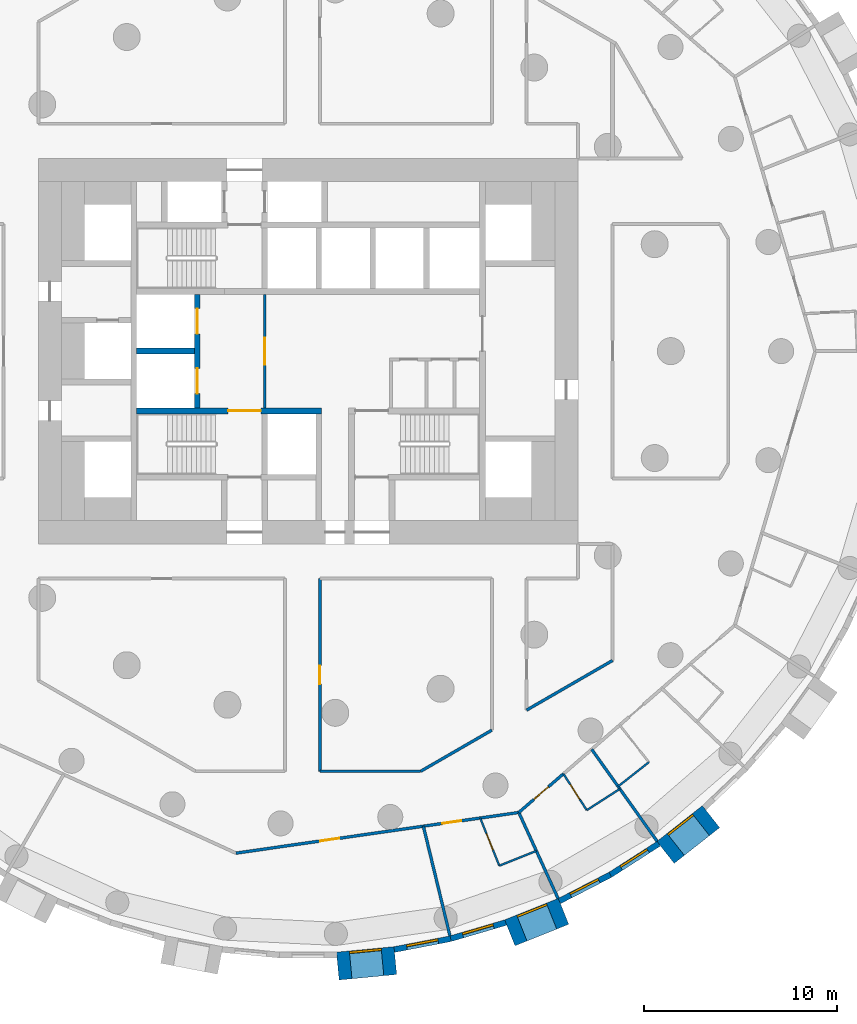
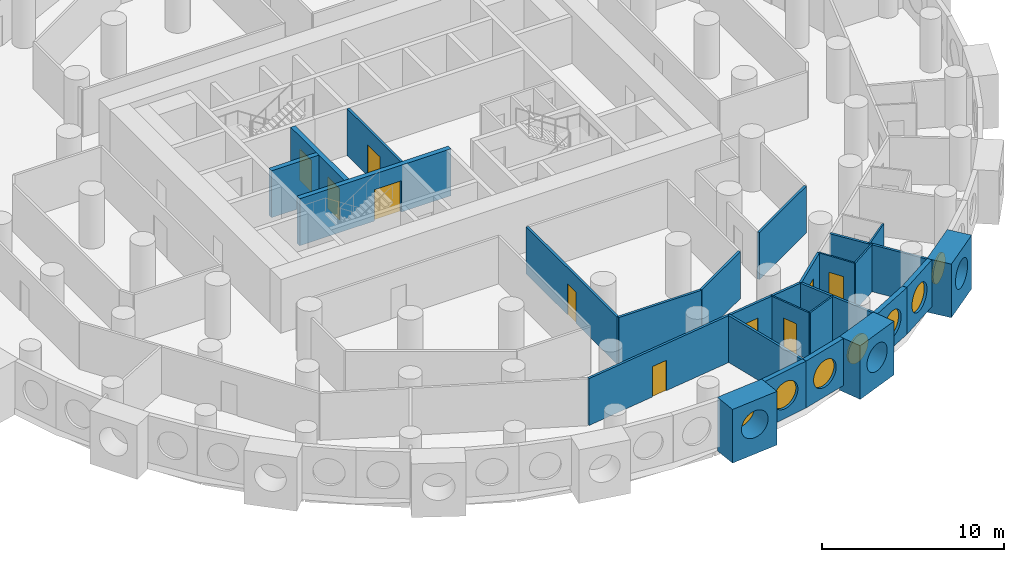
# One storey, part 4 of 12: 25 walls, 10 doors, 7 windows, 17 openings.
"""IFC4 building model written with IfcOpenShell, lengths in metres."""

import ifcopenshell
import ifcopenshell.guid

model = None  # the IFC model being written
_history = None  # IfcOwnerHistory: only IFC2X3 demands one
_inside = {}  # id of a spatial element -> (the spatial element, [elements in it])
_under = {}  # id of a project, library or spatial element -> (it, [spatial elements below it])
_declared = {}  # id of a project -> (the project, [libraries it declares])
_typed = {}  # id of a type object -> (the type object, [elements of that type])
_made_of = {}  # id of a material, layer set ... -> (it, [elements and type objects made of it])


def new_model(schema):
    """Start an empty IFC model of exactly this schema.

    Asked for "IFC4X3", IfcOpenShell would pick the latest addendum, in which some entities
    have other attributes; the version numbers below select the first issue.
    IFC2X3 requires an IfcOwnerHistory on every rooted entity: one is made here for all.
    """
    global model, _history
    if schema == "IFC4X3":
        model = ifcopenshell.file(schema_version=(4, 3, 0, 0))
    else:
        model = ifcopenshell.file(schema=schema)
    _inside.clear()
    _under.clear()
    _declared.clear()
    _typed.clear()
    _made_of.clear()
    _history = None
    if model.schema == "IFC2X3":
        org = make("IfcOrganization", Name="unknown")
        user = make(
            "IfcPersonAndOrganization",
            ThePerson=make("IfcPerson", FamilyName="unknown"),
            TheOrganization=org,
        )
        app = make(
            "IfcApplication",
            ApplicationDeveloper=org,
            Version="unknown",
            ApplicationFullName="unknown",
            ApplicationIdentifier="unknown",
        )
        _history = make(
            "IfcOwnerHistory",
            OwningUser=user,
            OwningApplication=app,
            ChangeAction="ADDED",
            CreationDate=0,
        )
    return model


def make(cls, **values):
    """One entity of the class cls with the attributes given. An attribute that is None is left unset."""
    return model.create_entity(
        cls, **{name: value for name, value in values.items() if value is not None}
    )


def rooted(cls, **values):
    """An entity with a GlobalId (a new one), such as an element, a storey or a relation."""
    return make(cls, GlobalId=ifcopenshell.guid.new(), OwnerHistory=_history, **values)


def si_unit(unit_type, name, prefix=None):
    """IfcSIUnit, for example si_unit("LENGTHUNIT", "METRE", prefix="MILLI")."""
    return make("IfcSIUnit", UnitType=unit_type, Prefix=prefix, Name=name)


def assignment(units):
    """IfcUnitAssignment: the units of a project."""
    return None if units is None else make("IfcUnitAssignment", Units=units)


def point(xyz):
    """IfcCartesianPoint."""
    return None if xyz is None else make("IfcCartesianPoint", Coordinates=xyz)


def direction(xyz):
    """IfcDirection."""
    return None if xyz is None else make("IfcDirection", DirectionRatios=xyz)


def frame(location, z_axis=None, x_axis=None):
    """IfcAxis2Placement3D, a coordinate frame: its origin and axes. An axis left out is left unset."""
    return make(
        "IfcAxis2Placement3D",
        Location=point(location),
        Axis=direction(z_axis),
        RefDirection=direction(x_axis),
    )


def frame_2d(location, x_axis=None):
    """IfcAxis2Placement2D, a coordinate frame in the plane: its origin and x axis."""
    return make(
        "IfcAxis2Placement2D", Location=point(location), RefDirection=direction(x_axis)
    )


def origin():
    """The frame at (0, 0, 0) with its axes left unset."""
    return frame((0.0, 0.0, 0.0))


def origin_2d():
    """The frame at (0, 0) in the plane with its x axis left unset."""
    return frame_2d((0.0, 0.0))


def place(relative_to, where):
    """IfcLocalPlacement: puts the frame where relative to a parent placement (None: the world)."""
    return make(
        "IfcLocalPlacement", PlacementRelTo=relative_to, RelativePlacement=where
    )


def context(
    kind, dimensions, precision=None, world=None, true_north=None, identifier=None
):
    """IfcGeometricRepresentationContext, for example the 3D "Model" context."""
    return make(
        "IfcGeometricRepresentationContext",
        ContextIdentifier=identifier,
        ContextType=kind,
        CoordinateSpaceDimension=dimensions,
        Precision=precision,
        WorldCoordinateSystem=world,
        TrueNorth=true_north,
    )


def subcontext(parent, identifier, kind, view, scale=None):
    """IfcGeometricRepresentationSubContext, for example "Body" below "Model"."""
    return make(
        "IfcGeometricRepresentationSubContext",
        ContextIdentifier=identifier,
        ContextType=kind,
        ParentContext=parent,
        TargetScale=scale,
        TargetView=view,
    )


def project(units=None, contexts=None):
    """IfcProject with its units and contexts."""
    return rooted(
        "IfcProject",
        Name="project",
        RepresentationContexts=contexts,
        UnitsInContext=assignment(units),
    )


def spatial(cls, under=None, at=None, **own):
    """A site, building, storey or space (cls), placed at a placement, below another one or the project."""
    s = rooted(cls, ObjectPlacement=at, **own)
    if under is not None:
        _under.setdefault(under.id(), (under, []))[1].append(s)
    return s


def profile(cls, at=None, kind="AREA", **sizes):
    """A parametric profile (cls). Its sizes go by their IFC names, for example OverallWidth=200.0."""
    return make(cls, ProfileType=kind, Position=at, **sizes)


def rectangle(**sizes):
    """IfcRectangleProfileDef."""
    return profile("IfcRectangleProfileDef", **sizes)


def circle(**sizes):
    """IfcCircleProfileDef."""
    return profile("IfcCircleProfileDef", **sizes)


def extrude(swept, where, along, depth):
    """IfcExtrudedAreaSolid: the profile swept, set in the frame where, extruded along a direction by depth."""
    return make(
        "IfcExtrudedAreaSolid",
        SweptArea=swept,
        Position=where,
        ExtrudedDirection=direction(along),
        Depth=depth,
    )


def shape(context_of_items, identifier, shape_type, items):
    """IfcShapeRepresentation: the items that make up one representation, for example the "Body"."""
    return make(
        "IfcShapeRepresentation",
        ContextOfItems=context_of_items,
        RepresentationIdentifier=identifier,
        RepresentationType=shape_type,
        Items=items,
    )


def material(Name=None, Category=None):
    """IfcMaterial."""
    return make("IfcMaterial", Name=Name, Category=Category)


def layer(
    of_material, thickness, ventilated=None, Name=None, Category=None, Priority=None
):
    """IfcMaterialLayer: one layer of a wall or slab, of a material (None: an air gap)."""
    return make(
        "IfcMaterialLayer",
        Material=of_material,
        LayerThickness=thickness,
        IsVentilated=ventilated,
        Name=Name,
        Category=Category,
        Priority=Priority,
    )


def layer_set(layers, Name=None):
    """IfcMaterialLayerSet."""
    return make("IfcMaterialLayerSet", MaterialLayers=layers, LayerSetName=Name)


def made_of(thing, what):
    """Note that an element or type object is made of a material, layer set ...; save() writes the relation."""
    if what is not None:
        _made_of.setdefault(what.id(), (what, []))[1].append(thing)
    return thing


def type_object(cls, material=None, **own):
    """A type object (cls), such as IfcWallType, which elements share."""
    return made_of(rooted(cls, **own), material)


def element(
    cls,
    number,
    at=None,
    inside=None,
    cuts=None,
    type_object=None,
    material=None,
    context=None,
    identifier="Body",
    shape_type=None,
    held_by="IfcProductDefinitionShape",
    body=None,
    shapes=None,
    **own,
):
    """One element of the class cls, such as IfcWall. Its Tag is "e" and its number.

    at: its placement. inside: the storey or other place that contains it. cuts: it is an
    opening in that element (IfcRelVoidsElement). A single representation is given by context,
    identifier, shape_type and body (its items); several are given by shapes. held_by: the class
    of the entity that holds the representations. save() writes the other relations.
    """
    e = rooted(cls, Tag="e%d" % number, ObjectPlacement=at, **own)
    if body is not None:
        shapes = [shape(context, identifier, shape_type, body)]
    if shapes is not None:
        e.Representation = make(held_by, Representations=shapes)
    if inside is not None:
        _inside.setdefault(inside.id(), (inside, []))[1].append(e)
    if cuts is not None:
        rooted(
            "IfcRelVoidsElement", RelatingBuildingElement=cuts, RelatedOpeningElement=e
        )
    if type_object is not None:
        _typed.setdefault(type_object.id(), (type_object, []))[1].append(e)
    return made_of(e, material)


def fill(opening, filler):
    """IfcRelFillsElement: the door or window that sits in an opening."""
    return rooted(
        "IfcRelFillsElement",
        RelatingOpeningElement=opening,
        RelatedBuildingElement=filler,
    )


def aggregate(whole, parts):
    """IfcRelAggregates: a whole, such as a stair, and the parts it consists of."""
    return rooted("IfcRelAggregates", RelatingObject=whole, RelatedObjects=parts)


def save(model, path):
    """Write the relations noted so far, then the file.

    IfcRelAggregates (storeys below a building ...), IfcRelContainedInSpatialStructure (elements
    in a storey), IfcRelDefinesByType, IfcRelAssociatesMaterial and IfcRelDeclares: one each for
    every whole, place, type object, material and project.
    """
    for whole, parts in _under.values():
        aggregate(whole, parts)
    for where, things in _inside.values():
        rooted(
            "IfcRelContainedInSpatialStructure",
            RelatedElements=things,
            RelatingStructure=where,
        )
    for kind, things in _typed.values():
        rooted("IfcRelDefinesByType", RelatedObjects=things, RelatingType=kind)
    for what, things in _made_of.values():
        rooted("IfcRelAssociatesMaterial", RelatedObjects=things, RelatingMaterial=what)
    for by, libraries in _declared.values():
        rooted("IfcRelDeclares", RelatingContext=by, RelatedDefinitions=libraries)
    model.write(path)


model = new_model("IFC4")

# Units and contexts
model_context = context("Model", 3, precision=1e-05, world=origin(), true_north=direction((0.0, 1.0)))
body_context = subcontext(model_context, "Body", "Model", "MODEL_VIEW")
ifc_project = project(units=[si_unit("LENGTHUNIT", "METRE"), si_unit("AREAUNIT", "SQUARE_METRE"), si_unit("VOLUMEUNIT", "CUBIC_METRE"), si_unit("PLANEANGLEUNIT", "RADIAN"), si_unit("MASSUNIT", "GRAM", prefix="KILO")], contexts=[model_context])

# Site, building, storey
site_placement = place(None, origin())
site = spatial("IfcSite", under=ifc_project, at=site_placement, CompositionType="ELEMENT")
building_placement = place(site_placement, origin())
building = spatial("IfcBuilding", under=site, at=building_placement, Name="Tracery Tower", CompositionType="ELEMENT")
storey_placement = place(building_placement, frame((0.0, 0.0, 71.39990234375)))
storey = spatial("IfcBuildingStorey", under=building, at=storey_placement, Name="L17", CompositionType="ELEMENT", Elevation=71.39990234375)

# Wall, opening, door
ifc_material_1 = material(Name="Plasterboard on steel studs", Category="steel")
ifc_layer_1 = layer(ifc_material_1, 0.14990234375)
ifc_layer_set_1 = layer_set([ifc_layer_1], Name="Core lobby partition 150")
wall_type_1 = type_object("IfcWallType", Name="Core lobby partition 150", PredefinedType="SOLIDWALL", material=ifc_layer_set_1)
wall_1_placement = place(storey_placement, frame((-2.25, -2.949951171875, 0.0), z_axis=(0.0, 0.0, 1.0), x_axis=(0.0, 1.0, 0.0)))
wall_1 = element("IfcWall", 1, at=wall_1_placement, inside=storey, type_object=wall_type_1, Name="L17 FF lobby E", PredefinedType="SOLIDWALL", context=body_context, shape_type="SweptSolid", body=[
    extrude(rectangle(XDim=5.89990234375, YDim=0.14990234375, at=frame_2d((2.949951171875, 0.0))), origin(), (0.0, 0.0, 1.0), 3.150146484375),
])
opening_1_placement = place(wall_1_placement, frame((2.25, 0.0, 0.0)))
opening_1 = element("IfcOpeningElement", 2, at=opening_1_placement, cuts=wall_1, Name="Opening KD8", PredefinedType="OPENING", context=body_context, shape_type="SweptSolid", body=[
    extrude(rectangle(XDim=1.39990234375, YDim=2.10009765625, at=frame_2d((0.699951171875, 1.050048828125))), frame((0.0, 0.074951171875, 0.0), z_axis=(0.0, -1.0, 0.0), x_axis=(1.0, 0.0, 0.0)), (0.0, 0.0, 1.0), 0.14990234375),
])
ifc_material_2 = material(Name="Steel fire door", Category="steel")
door_type_1 = type_object("IfcDoorType", Name="Core lobby door 1400 double", OperationType="NOTDEFINED", PredefinedType="DOOR", material=ifc_material_2)
door_1_placement = place(opening_1_placement, origin())
door_1 = element("IfcDoor", 3, at=door_1_placement, inside=storey, type_object=door_type_1, Name="Fire-fighting lobby door", OperationType="DOUBLE_DOOR_SINGLE_SWING", OverallHeight=2.10009765625, OverallWidth=1.39990234375, PredefinedType="DOOR", context=body_context, shape_type="SweptSolid", body=[
    extrude(rectangle(XDim=1.39990234375, YDim=2.10009765625, at=frame_2d((0.699951171875, 1.050048828125))), frame((0.0, 0.02490234375, 0.0), z_axis=(0.0, -1.0, 0.0), x_axis=(1.0, 0.0, 0.0)), (0.0, 0.0, 1.0), 0.050048828125),
])
fill(opening_1, door_1)

# Wall, opening, window
ifc_material_3 = material(Name="Precast concrete C50/60", Category="concrete")
ifc_layer_2 = layer(ifc_material_3, 1.449951171875)
ifc_layer_set_2 = layer_set([ifc_layer_2], Name="Deep-set bay unit 3000 x 3600, slab edge 450")
wall_type_2 = type_object("IfcWallType", Name="Deep-set bay unit 3000 x 3600, slab edge 450", PredefinedType="ELEMENTEDWALL", material=ifc_layer_set_2)
wall_2_placement = place(storey_placement, frame((1.540283203125, -31.911865234375, -0.449951171875), z_axis=(0.0, 0.0, 1.0), x_axis=(0.995472768558, 0.09504718333, 0.0)))
wall_2 = element("IfcWall", 4, at=wall_2_placement, inside=storey, type_object=wall_type_2, Name="Deep-set bay unit 51 at L17", PredefinedType="ELEMENTEDWALL", context=body_context, shape_type="SweptSolid", body=[
    extrude(rectangle(XDim=3.000244140625, YDim=1.449951171875, at=frame_2d((1.5, 0.0))), origin(), (0.0, 0.0, 1.0), 3.60009765625),
])
opening_2_placement = place(wall_2_placement, frame((1.5, 0.0, 2.0)))
opening_2 = element("IfcOpeningElement", 5, at=opening_2_placement, cuts=wall_2, Name="Opening WN1", PredefinedType="OPENING", context=body_context, shape_type="SweptSolid", body=[
    extrude(circle(Radius=0.9000244140625, at=origin_2d()), frame((0.0, 0.73486328125, 0.0), z_axis=(0.0, -1.0, 0.0), x_axis=(1.0, 0.0, 0.0)), (0.0, 0.0, 1.0), 1.469970703125),
])
ifc_material_4 = material(Name="Aluminium frame with tinted double glazing", Category="aluminium")
window_type = type_object("IfcWindowType", Name="Round window 1800", PartitioningType="SINGLE_PANEL", PredefinedType="WINDOW", material=ifc_material_4)
window_1_placement = place(opening_2_placement, origin())
window_1 = element("IfcWindow", 6, at=window_1_placement, inside=storey, type_object=window_type, Name="Round window 51 at L17", OverallHeight=1.800048828125, OverallWidth=1.800048828125, PartitioningType="SINGLE_PANEL", PredefinedType="WINDOW", context=body_context, shape_type="SweptSolid", body=[
    extrude(circle(Radius=0.9000244140625, at=origin_2d()), frame((0.0, 0.69482421875, 0.0), z_axis=(0.0, -1.0, 0.0), x_axis=(1.0, 0.0, 0.0)), (0.0, 0.0, 1.0), 0.10009765625),
])
fill(opening_2, window_1)

wall_3_placement = place(storey_placement, frame((10.46875, -30.185302734375, -0.449951171875), z_axis=(0.0, 0.0, 1.0), x_axis=(0.928358776184, 0.371685327504, 0.0)))
wall_3 = element("IfcWall", 7, at=wall_3_placement, inside=storey, type_object=wall_type_2, Name="Deep-set bay unit 54 at L17", PredefinedType="ELEMENTEDWALL", context=body_context, shape_type="SweptSolid", body=[
    extrude(rectangle(XDim=2.999755859375, YDim=1.449951171875, at=frame_2d((1.5, 0.0))), origin(), (0.0, 0.0, 1.0), 3.60009765625),
])
opening_3_placement = place(wall_3_placement, frame((1.5, 0.0, 2.0)))
opening_3 = element("IfcOpeningElement", 8, at=opening_3_placement, cuts=wall_3, Name="Opening WN1", PredefinedType="OPENING", context=body_context, shape_type="SweptSolid", body=[
    extrude(circle(Radius=0.9000244140625, at=origin_2d()), frame((0.0, 0.73486328125, 0.0), z_axis=(0.0, -1.0, 0.0), x_axis=(1.0, 0.0, 0.0)), (0.0, 0.0, 1.0), 1.469970703125),
])
window_2_placement = place(opening_3_placement, origin())
window_2 = element("IfcWindow", 9, at=window_2_placement, inside=storey, type_object=window_type, Name="Round window 54 at L17", OverallHeight=1.800048828125, OverallWidth=1.800048828125, PartitioningType="SINGLE_PANEL", PredefinedType="WINDOW", context=body_context, shape_type="SweptSolid", body=[
    extrude(circle(Radius=0.9000244140625, at=origin_2d()), frame((0.0, 0.69482421875, 0.0), z_axis=(0.0, -1.0, 0.0), x_axis=(1.0, 0.0, 0.0)), (0.0, 0.0, 1.0), 0.10009765625),
])
fill(opening_3, window_2)

wall_4_placement = place(storey_placement, frame((18.548828125, -26.01318359375, -0.449951171875), z_axis=(0.0, 0.0, 1.0), x_axis=(0.786049992888, 0.618162930529, 0.0)))
wall_4 = element("IfcWall", 10, at=wall_4_placement, inside=storey, type_object=wall_type_2, Name="Deep-set bay unit 57 at L17", PredefinedType="ELEMENTEDWALL", context=body_context, shape_type="SweptSolid", body=[
    extrude(rectangle(XDim=3.0, YDim=1.449951171875, at=frame_2d((1.5, 0.0))), origin(), (0.0, 0.0, 1.0), 3.60009765625),
])
opening_4_placement = place(wall_4_placement, frame((1.5, 0.0, 2.0)))
opening_4 = element("IfcOpeningElement", 11, at=opening_4_placement, cuts=wall_4, Name="Opening WN1", PredefinedType="OPENING", context=body_context, shape_type="SweptSolid", body=[
    extrude(circle(Radius=0.9000244140625, at=origin_2d()), frame((0.0, 0.73486328125, 0.0), z_axis=(0.0, -1.0, 0.0), x_axis=(1.0, 0.0, 0.0)), (0.0, 0.0, 1.0), 1.469970703125),
])
window_3_placement = place(opening_4_placement, origin())
window_3 = element("IfcWindow", 12, at=window_3_placement, inside=storey, type_object=window_type, Name="Round window 57 at L17", OverallHeight=1.800048828125, OverallWidth=1.800048828125, PartitioningType="SINGLE_PANEL", PredefinedType="WINDOW", context=body_context, shape_type="SweptSolid", body=[
    extrude(circle(Radius=0.9000244140625, at=origin_2d()), frame((0.0, 0.69482421875, 0.0), z_axis=(0.0, -1.0, 0.0), x_axis=(1.0, 0.0, 0.0)), (0.0, 0.0, 1.0), 0.10009765625),
])
fill(opening_4, window_3)

ifc_material_5 = material(Name="Precast concrete C50/60", Category="concrete")
ifc_layer_3 = layer(ifc_material_5, 0.300048828125)
ifc_layer_set_3 = layer_set([ifc_layer_3], Name="Facade panel 3000 x 3150")
wall_type_3 = type_object("IfcWallType", Name="Facade panel 3000 x 3150", PredefinedType="SOLIDWALL", material=ifc_layer_set_3)
wall_5_placement = place(storey_placement, frame((4.470947265625, -31.053955078125, 0.0), z_axis=(0.0, 0.0, 1.0), x_axis=(0.981924535406, 0.189272836848, 0.0)))
wall_5 = element("IfcWall", 13, at=wall_5_placement, inside=storey, type_object=wall_type_3, Name="Facade panel 52 at L17", PredefinedType="SOLIDWALL", context=body_context, shape_type="SweptSolid", body=[
    extrude(rectangle(XDim=2.979736328125, YDim=0.300048828125, at=frame_2d((1.48974609375, 0.0))), origin(), (0.0, 0.0, 1.0), 3.150146484375),
])
opening_5_placement = place(wall_5_placement, frame((1.48974609375, 0.0, 1.5498046875)))
opening_5 = element("IfcOpeningElement", 14, at=opening_5_placement, cuts=wall_5, Name="Opening WN1", PredefinedType="OPENING", context=body_context, shape_type="SweptSolid", body=[
    extrude(circle(Radius=0.9000244140625, at=origin_2d()), frame((0.0, 0.159912109375, 0.0), z_axis=(0.0, -1.0, 0.0), x_axis=(1.0, 0.0, 0.0)), (0.0, 0.0, 1.0), 0.320068359375),
])
window_4_placement = place(opening_5_placement, origin())
window_4 = element("IfcWindow", 15, at=window_4_placement, inside=storey, type_object=window_type, Name="Round window 52 at L17", OverallHeight=1.800048828125, OverallWidth=1.800048828125, PartitioningType="SINGLE_PANEL", PredefinedType="WINDOW", context=body_context, shape_type="SweptSolid", body=[
    extrude(circle(Radius=0.9000244140625, at=origin_2d()), frame((0.0, 0.1201171875, 0.0), z_axis=(0.0, -1.0, 0.0), x_axis=(1.0, 0.0, 0.0)), (0.0, 0.0, 1.0), 0.10009765625),
])
fill(opening_5, window_4)

wall_6_placement = place(storey_placement, frame((7.396728515625, -30.489990234375, 0.0), z_axis=(0.0, 0.0, 1.0), x_axis=(0.959507586834, 0.28168278401, 0.0)))
wall_6 = element("IfcWall", 16, at=wall_6_placement, inside=storey, type_object=wall_type_3, Name="Facade panel 53 at L17", PredefinedType="SOLIDWALL", context=body_context, shape_type="SweptSolid", body=[
    extrude(rectangle(XDim=2.979736328125, YDim=0.300048828125, at=frame_2d((1.48974609375, 0.0))), origin(), (0.0, 0.0, 1.0), 3.150146484375),
])
opening_6_placement = place(wall_6_placement, frame((1.48974609375, 0.0, 1.5498046875)))
opening_6 = element("IfcOpeningElement", 17, at=opening_6_placement, cuts=wall_6, Name="Opening WN1", PredefinedType="OPENING", context=body_context, shape_type="SweptSolid", body=[
    extrude(circle(Radius=0.9000244140625, at=origin_2d()), frame((0.0, 0.159912109375, 0.0), z_axis=(0.0, -1.0, 0.0), x_axis=(1.0, 0.0, 0.0)), (0.0, 0.0, 1.0), 0.320068359375),
])
window_5_placement = place(opening_6_placement, origin())
window_5 = element("IfcWindow", 18, at=window_5_placement, inside=storey, type_object=window_type, Name="Round window 53 at L17", OverallHeight=1.800048828125, OverallWidth=1.800048828125, PartitioningType="SINGLE_PANEL", PredefinedType="WINDOW", context=body_context, shape_type="SweptSolid", body=[
    extrude(circle(Radius=0.9000244140625, at=origin_2d()), frame((0.0, 0.1201171875, 0.0), z_axis=(0.0, -1.0, 0.0), x_axis=(1.0, 0.0, 0.0)), (0.0, 0.0, 1.0), 0.10009765625),
])
fill(opening_6, window_5)

wall_7_placement = place(storey_placement, frame((13.038818359375, -28.536376953125, 0.0), z_axis=(0.0, 0.0, 1.0), x_axis=(0.888853225096, 0.4581920386, 0.0)))
wall_7 = element("IfcWall", 19, at=wall_7_placement, inside=storey, type_object=wall_type_3, Name="Facade panel 55 at L17", PredefinedType="SOLIDWALL", context=body_context, shape_type="SweptSolid", body=[
    extrude(rectangle(XDim=2.9794921875, YDim=0.300048828125, at=frame_2d((1.48974609375, 0.0))), origin(), (0.0, 0.0, 1.0), 3.150146484375),
])
opening_7_placement = place(wall_7_placement, frame((1.48974609375, 0.0, 1.5498046875)))
opening_7 = element("IfcOpeningElement", 20, at=opening_7_placement, cuts=wall_7, Name="Opening WN1", PredefinedType="OPENING", context=body_context, shape_type="SweptSolid", body=[
    extrude(circle(Radius=0.9000244140625, at=origin_2d()), frame((0.0, 0.159912109375, 0.0), z_axis=(0.0, -1.0, 0.0), x_axis=(1.0, 0.0, 0.0)), (0.0, 0.0, 1.0), 0.320068359375),
])
window_6_placement = place(opening_7_placement, origin())
window_6 = element("IfcWindow", 21, at=window_6_placement, inside=storey, type_object=window_type, Name="Round window 55 at L17", OverallHeight=1.800048828125, OverallWidth=1.800048828125, PartitioningType="SINGLE_PANEL", PredefinedType="WINDOW", context=body_context, shape_type="SweptSolid", body=[
    extrude(circle(Radius=0.9000244140625, at=origin_2d()), frame((0.0, 0.1201171875, 0.0), z_axis=(0.0, -1.0, 0.0), x_axis=(1.0, 0.0, 0.0)), (0.0, 0.0, 1.0), 0.10009765625),
])
fill(opening_7, window_6)

wall_8_placement = place(storey_placement, frame((15.687255859375, -27.171142578125, 0.0), z_axis=(0.0, 0.0, 1.0), x_axis=(0.84122372879, 0.540687190639, 0.0)))
wall_8 = element("IfcWall", 22, at=wall_8_placement, inside=storey, type_object=wall_type_3, Name="Facade panel 56 at L17", PredefinedType="SOLIDWALL", context=body_context, shape_type="SweptSolid", body=[
    extrude(rectangle(XDim=2.979736328125, YDim=0.300048828125, at=frame_2d((1.48974609375, 0.0))), origin(), (0.0, 0.0, 1.0), 3.150146484375),
])
opening_8_placement = place(wall_8_placement, frame((1.48974609375, 0.0, 1.5498046875)))
opening_8 = element("IfcOpeningElement", 23, at=opening_8_placement, cuts=wall_8, Name="Opening WN1", PredefinedType="OPENING", context=body_context, shape_type="SweptSolid", body=[
    extrude(circle(Radius=0.9000244140625, at=origin_2d()), frame((0.0, 0.159912109375, 0.0), z_axis=(0.0, -1.0, 0.0), x_axis=(1.0, 0.0, 0.0)), (0.0, 0.0, 1.0), 0.320068359375),
])
window_7_placement = place(opening_8_placement, origin())
window_7 = element("IfcWindow", 24, at=window_7_placement, inside=storey, type_object=window_type, Name="Round window 56 at L17", OverallHeight=1.800048828125, OverallWidth=1.800048828125, PartitioningType="SINGLE_PANEL", PredefinedType="WINDOW", context=body_context, shape_type="SweptSolid", body=[
    extrude(circle(Radius=0.9000244140625, at=origin_2d()), frame((0.0, 0.1201171875, 0.0), z_axis=(0.0, -1.0, 0.0), x_axis=(1.0, 0.0, 0.0)), (0.0, 0.0, 1.0), 0.10009765625),
])
fill(opening_8, window_7)

# Wall, opening, door
ifc_material_6 = material(Name="Plasterboard on steel studs", Category="steel")
ifc_layer_4 = layer(ifc_material_6, 0.10009765625)
ifc_layer_set_4 = layer_set([ifc_layer_4], Name="Partition 100 wet wall")
wall_type_4 = type_object("IfcWallType", Name="Partition 100 wet wall", PredefinedType="PARTITIONING", material=ifc_layer_set_4)
wall_9_placement = place(storey_placement, frame((8.929931640625, -24.22802734375, 0.0), z_axis=(0.0, 0.0, 1.0), x_axis=(0.371564281805, -0.928407229876, 0.0)))
wall_9 = element("IfcWall", 25, at=wall_9_placement, inside=storey, type_object=wall_type_4, Name="Wet wall RA5-087", PredefinedType="PARTITIONING", context=body_context, shape_type="SweptSolid", body=[
    extrude(rectangle(XDim=2.6669921875, YDim=0.10009765625, at=frame_2d((1.33349609375, 0.0))), origin(), (0.0, 0.0, 1.0), 3.150146484375),
])
opening_9_placement = place(wall_9_placement, frame((0.883056640625, 0.0, 0.0)))
opening_9 = element("IfcOpeningElement", 26, at=opening_9_placement, cuts=wall_9, Name="Opening RA5-31", PredefinedType="OPENING", context=body_context, shape_type="SweptSolid", body=[
    extrude(rectangle(XDim=0.89990234375, YDim=2.0400390625, at=frame_2d((0.449951171875, 1.02001953125))), frame((0.0, 0.050048828125, 0.0), z_axis=(0.0, -1.0, 0.0), x_axis=(1.0, 0.0, 0.0)), (0.0, 0.0, 1.0), 0.10009765625),
])
ifc_material_7 = material(Name="Timber door leaf", Category="wood")
door_type_2 = type_object("IfcDoorType", Name="Door en-suite 900", OperationType="NOTDEFINED", PredefinedType="DOOR", material=ifc_material_7)
door_2_placement = place(opening_9_placement, origin())
door_2 = element("IfcDoor", 27, at=door_2_placement, inside=storey, type_object=door_type_2, Name="En-suite door RA5-31", OperationType="SINGLE_SWING_LEFT", OverallHeight=2.0400390625, OverallWidth=0.89990234375, PredefinedType="DOOR", context=body_context, shape_type="SweptSolid", body=[
    extrude(rectangle(XDim=0.89990234375, YDim=2.0400390625, at=frame_2d((0.449951171875, 1.02001953125))), frame((0.0, 0.02490234375, 0.0), z_axis=(0.0, -1.0, 0.0), x_axis=(1.0, 0.0, 0.0)), (0.0, 0.0, 1.0), 0.050048828125),
])
fill(opening_9, door_2)

# Wall
wall_10_placement = place(storey_placement, frame((9.9208984375, -26.7041015625, 0.0), z_axis=(0.0, 0.0, 1.0), x_axis=(0.928346586681, 0.37171577179, 0.0)))
element("IfcWall", 28, at=wall_10_placement, inside=storey, type_object=wall_type_4, Name="Wet wall RA5-088", PredefinedType="PARTITIONING", context=body_context, shape_type="SweptSolid", body=[
    extrude(rectangle(XDim=2.071533203125, YDim=0.10009765625, at=frame_2d((1.03564453125, 0.0))), origin(), (0.0, 0.0, 1.0), 3.150146484375),
])

# Wall, opening, door
wall_11_placement = place(storey_placement, frame((13.248046875, -21.93505859375, 0.0), z_axis=(0.0, 0.0, 1.0), x_axis=(0.540597960994, -0.841281073464, 0.0)))
wall_11 = element("IfcWall", 29, at=wall_11_placement, inside=storey, type_object=wall_type_4, Name="Wet wall RA5-090", PredefinedType="PARTITIONING", context=body_context, shape_type="SweptSolid", body=[
    extrude(rectangle(XDim=2.24169921875, YDim=0.10009765625, at=frame_2d((1.120849609375, 0.0))), origin(), (0.0, 0.0, 1.0), 3.150146484375),
])
opening_10_placement = place(wall_11_placement, frame((0.6708984375, 0.0, 0.0)))
opening_10 = element("IfcOpeningElement", 30, at=opening_10_placement, cuts=wall_11, Name="Opening RA5-33", PredefinedType="OPENING", context=body_context, shape_type="SweptSolid", body=[
    extrude(rectangle(XDim=0.89990234375, YDim=2.0400390625, at=frame_2d((0.449951171875, 1.02001953125))), frame((0.0, 0.050048828125, 0.0), z_axis=(0.0, -1.0, 0.0), x_axis=(1.0, 0.0, 0.0)), (0.0, 0.0, 1.0), 0.10009765625),
])
door_3_placement = place(opening_10_placement, origin())
door_3 = element("IfcDoor", 31, at=door_3_placement, inside=storey, type_object=door_type_2, Name="En-suite door RA5-33", OperationType="SINGLE_SWING_RIGHT", OverallHeight=2.0400390625, OverallWidth=0.89990234375, PredefinedType="DOOR", context=body_context, shape_type="SweptSolid", body=[
    extrude(rectangle(XDim=0.89990234375, YDim=2.0400390625, at=frame_2d((0.449951171875, 1.02001953125))), frame((0.0, 0.02490234375, 0.0), z_axis=(0.0, -1.0, 0.0), x_axis=(1.0, 0.0, 0.0)), (0.0, 0.0, 1.0), 0.050048828125),
])
fill(opening_10, door_3)

# Walls
wall_12_placement = place(storey_placement, frame((14.4599609375, -23.821044921875, 0.0), z_axis=(0.0, 0.0, 1.0), x_axis=(0.841135728185, 0.540824081168, 0.0)))
element("IfcWall", 32, at=wall_12_placement, inside=storey, type_object=wall_type_4, Name="Wet wall RA5-091", PredefinedType="PARTITIONING", context=body_context, shape_type="SweptSolid", body=[
    extrude(rectangle(XDim=2.041259765625, YDim=0.10009765625, at=frame_2d((1.0205078125, 0.0))), origin(), (0.0, 0.0, 1.0), 3.150146484375),
])
wall_13_placement = place(storey_placement, frame((16.0859375, -22.589111328125, 0.0), z_axis=(0.0, 0.0, 1.0), x_axis=(0.785984904201, 0.618245687707, 0.0)))
element("IfcWall", 33, at=wall_13_placement, inside=storey, type_object=wall_type_4, Name="Wet wall RA5-093", PredefinedType="PARTITIONING", context=body_context, shape_type="SweptSolid", body=[
    extrude(rectangle(XDim=2.033203125, YDim=0.10009765625, at=frame_2d((1.0166015625, 0.0))), origin(), (0.0, 0.0, 1.0), 3.150146484375),
])
ifc_material_8 = material(Name="Plasterboard on steel studs", Category="steel")
ifc_layer_5 = layer(ifc_material_8, 0.14990234375)
ifc_layer_set_5 = layer_set([ifc_layer_5], Name="Partition 150 acoustic unit wall")
wall_type_5 = type_object("IfcWallType", Name="Partition 150 acoustic unit wall", PredefinedType="PARTITIONING", material=ifc_layer_set_5)
wall_14_placement = place(storey_placement, frame((5.98095703125, -24.652099609375, 0.0), z_axis=(0.0, 0.0, 1.0), x_axis=(0.235644168604, -0.971839403298, 0.0)))
element("IfcWall", 34, at=wall_14_placement, inside=storey, type_object=wall_type_5, Name="Unit wall RA5-086", PredefinedType="PARTITIONING", context=body_context, shape_type="SweptSolid", body=[
    extrude(rectangle(XDim=5.85693359375, YDim=0.14990234375, at=frame_2d((2.928466796875, 0.0))), origin(), (0.0, 0.0, 1.0), 3.150146484375),
])
wall_15_placement = place(storey_placement, frame((10.93359375, -23.939697265625, 0.0), z_axis=(0.0, 0.0, 1.0), x_axis=(0.415245800153, -0.909709253254, 0.0)))
element("IfcWall", 35, at=wall_15_placement, inside=storey, type_object=wall_type_5, Name="Unit wall RA5-089", PredefinedType="PARTITIONING", context=body_context, shape_type="SweptSolid", body=[
    extrude(rectangle(XDim=4.906494140625, YDim=0.14990234375, at=frame_2d((2.453125, 0.0))), origin(), (0.0, 0.0, 1.0), 3.150146484375),
])
wall_16_placement = place(storey_placement, frame((14.71533203125, -20.663818359375, 0.0), z_axis=(0.0, 0.0, 1.0), x_axis=(0.57995989616, -0.814645026282, 0.0)))
element("IfcWall", 36, at=wall_16_placement, inside=storey, type_object=wall_type_5, Name="Unit wall RA5-092", PredefinedType="PARTITIONING", context=body_context, shape_type="SweptSolid", body=[
    extrude(rectangle(XDim=5.85693359375, YDim=0.14990234375, at=frame_2d((2.928466796875, 0.0))), origin(), (0.0, 0.0, 1.0), 3.150146484375),
])

# Wall, opening, door
ifc_material_9 = material(Name="Plasterboard on steel studs", Category="steel")
ifc_layer_6 = layer(ifc_material_9, 0.14990234375)
ifc_layer_set_6 = layer_set([ifc_layer_6], Name="Partition 150 corridor wall")
wall_type_6 = type_object("IfcWallType", Name="Partition 150 corridor wall", PredefinedType="PARTITIONING", material=ifc_layer_set_6)
wall_17_placement = place(storey_placement, frame((0.60791015625, -21.802001953125, 0.0), z_axis=(0.0, 0.0, 1.0), x_axis=(0.0, 1.0, 0.0)))
wall_17 = element("IfcWall", 37, at=wall_17_placement, inside=storey, type_object=wall_type_6, Name="Corridor wall RA5-048", PredefinedType="PARTITIONING", context=body_context, shape_type="SweptSolid", body=[
    extrude(rectangle(XDim=10.001953125, YDim=0.14990234375, at=frame_2d((5.0009765625, 0.0))), origin(), (0.0, 0.0, 1.0), 3.150146484375),
])
opening_11_placement = place(wall_17_placement, frame((4.52587890625, 0.0, 0.0)))
opening_11 = element("IfcOpeningElement", 38, at=opening_11_placement, cuts=wall_17, Name="Opening RA5-05", PredefinedType="OPENING", context=body_context, shape_type="SweptSolid", body=[
    extrude(rectangle(XDim=0.949951171875, YDim=2.10009765625, at=frame_2d((0.47509765625, 1.050048828125))), frame((0.0, 0.074951171875, 0.0), z_axis=(0.0, -1.0, 0.0), x_axis=(1.0, 0.0, 0.0)), (0.0, 0.0, 1.0), 0.14990234375),
])
ifc_material_10 = material(Name="Timber door leaf", Category="wood")
door_type_3 = type_object("IfcDoorType", Name="Door store 950", OperationType="NOTDEFINED", PredefinedType="DOOR", material=ifc_material_10)
door_4_placement = place(opening_11_placement, origin())
door_4 = element("IfcDoor", 39, at=door_4_placement, inside=storey, type_object=door_type_3, Name="Store door RA5-05", OperationType="SINGLE_SWING_RIGHT", OverallHeight=2.10009765625, OverallWidth=0.949951171875, PredefinedType="DOOR", context=body_context, shape_type="SweptSolid", body=[
    extrude(rectangle(XDim=0.949951171875, YDim=2.10009765625, at=frame_2d((0.47509765625, 1.050048828125))), frame((0.0, 0.02490234375, 0.0), z_axis=(0.0, -1.0, 0.0), x_axis=(1.0, 0.0, 0.0)), (0.0, 0.0, 1.0), 0.050048828125),
])
fill(opening_11, door_4)

# Walls
wall_18_placement = place(storey_placement, frame((0.60791015625, -21.802001953125, 0.0), z_axis=(0.0, 0.0, 1.0), x_axis=(1.0, 0.0, 0.0)))
element("IfcWall", 40, at=wall_18_placement, inside=storey, type_object=wall_type_6, Name="Corridor wall RA5-049", PredefinedType="PARTITIONING", context=body_context, shape_type="SweptSolid", body=[
    extrude(rectangle(XDim=5.234130859375, YDim=0.14990234375, at=frame_2d((2.6171875, 0.0))), origin(), (0.0, 0.0, 1.0), 3.150146484375),
])
wall_19_placement = place(storey_placement, frame((5.842041015625, -21.802001953125, 0.0), z_axis=(0.0, 0.0, 1.0), x_axis=(0.865983505205, 0.500072563448, 0.0)))
element("IfcWall", 41, at=wall_19_placement, inside=storey, type_object=wall_type_6, Name="Corridor wall RA5-050", PredefinedType="PARTITIONING", context=body_context, shape_type="SweptSolid", body=[
    extrude(rectangle(XDim=4.265380859375, YDim=0.14990234375, at=frame_2d((2.1328125, 0.0))), origin(), (0.0, 0.0, 1.0), 3.150146484375),
])
wall_20_placement = place(storey_placement, frame((11.3359375, -18.6298828125, 0.0), z_axis=(0.0, 0.0, 1.0), x_axis=(0.866063337164, 0.499934291702, 0.0)))
element("IfcWall", 42, at=wall_20_placement, inside=storey, type_object=wall_type_6, Name="Corridor wall RA5-053", PredefinedType="PARTITIONING", context=body_context, shape_type="SweptSolid", body=[
    extrude(rectangle(XDim=5.154541015625, YDim=0.14990234375, at=frame_2d((2.5771484375, 0.0))), origin(), (0.0, 0.0, 1.0), 3.150146484375),
])

# Wall, openings, doors
wall_21_placement = place(storey_placement, frame((-3.74609375, -26.051025390625, 0.0), z_axis=(0.0, 0.0, 1.0), x_axis=(0.989823328782, 0.142301713967, 0.0)))
wall_21 = element("IfcWall", 43, at=wall_21_placement, inside=storey, type_object=wall_type_6, Name="Corridor wall RA5-055", PredefinedType="PARTITIONING", context=body_context, shape_type="SweptSolid", body=[
    extrude(rectangle(XDim=14.830078125, YDim=0.14990234375, at=frame_2d((7.4150390625, 0.0))), origin(), (0.0, 0.0, 1.0), 3.150146484375),
])
opening_12_placement = place(wall_21_placement, frame((4.4150390625, 0.0, 0.0)))
opening_12 = element("IfcOpeningElement", 44, at=opening_12_placement, cuts=wall_21, Name="Opening RA5-30", PredefinedType="OPENING", context=body_context, shape_type="SweptSolid", body=[
    extrude(rectangle(XDim=1.0, YDim=2.0400390625, at=frame_2d((0.5, 1.02001953125))), frame((0.0, 0.074951171875, 0.0), z_axis=(0.0, -1.0, 0.0), x_axis=(1.0, 0.0, 0.0)), (0.0, 0.0, 1.0), 0.14990234375),
])
opening_13_placement = place(wall_21_placement, frame((10.81640625, 0.0, 0.0)))
opening_13 = element("IfcOpeningElement", 45, at=opening_13_placement, cuts=wall_21, Name="Opening RA5-32", PredefinedType="OPENING", context=body_context, shape_type="SweptSolid", body=[
    extrude(rectangle(XDim=1.0, YDim=2.10009765625, at=frame_2d((0.5, 1.050048828125))), frame((0.0, 0.074951171875, 0.0), z_axis=(0.0, -1.0, 0.0), x_axis=(1.0, 0.0, 0.0)), (0.0, 0.0, 1.0), 0.14990234375),
])
ifc_material_11 = material(Name="Timber door leaf", Category="wood")
door_type_4 = type_object("IfcDoorType", Name="Door communal room 1000", OperationType="NOTDEFINED", PredefinedType="DOOR", material=ifc_material_11)
door_5_placement = place(opening_12_placement, origin())
door_5 = element("IfcDoor", 46, at=door_5_placement, inside=storey, type_object=door_type_4, Name="Communal room door RA5-30", OperationType="SINGLE_SWING_RIGHT", OverallHeight=2.0400390625, OverallWidth=1.0, PredefinedType="DOOR", context=body_context, shape_type="SweptSolid", body=[
    extrude(rectangle(XDim=1.0, YDim=2.0400390625, at=frame_2d((0.5, 1.02001953125))), frame((0.0, 0.02490234375, 0.0), z_axis=(0.0, -1.0, 0.0), x_axis=(1.0, 0.0, 0.0)), (0.0, 0.0, 1.0), 0.050048828125),
])
fill(opening_12, door_5)
ifc_material_12 = material(Name="Timber door leaf", Category="wood")
door_type_5 = type_object("IfcDoorType", Name="Door unit entrance 1000", OperationType="NOTDEFINED", PredefinedType="DOOR", material=ifc_material_12)
door_6_placement = place(opening_13_placement, origin())
door_6 = element("IfcDoor", 47, at=door_6_placement, inside=storey, type_object=door_type_5, Name="Unit entrance door RA5-32", OperationType="SINGLE_SWING_RIGHT", OverallHeight=2.10009765625, OverallWidth=1.0, PredefinedType="DOOR", context=body_context, shape_type="SweptSolid", body=[
    extrude(rectangle(XDim=1.0, YDim=2.10009765625, at=frame_2d((0.5, 1.050048828125))), frame((0.0, 0.02490234375, 0.0), z_axis=(0.0, -1.0, 0.0), x_axis=(1.0, 0.0, 0.0)), (0.0, 0.0, 1.0), 0.050048828125),
])
fill(opening_13, door_6)

# Wall, opening, door
wall_22_placement = place(storey_placement, frame((10.93310546875, -23.93994140625, 0.0), z_axis=(0.0, 0.0, 1.0), x_axis=(0.755675945931, 0.654945696025, 0.0)))
wall_22 = element("IfcWall", 48, at=wall_22_placement, inside=storey, type_object=wall_type_6, Name="Corridor wall RA5-056", PredefinedType="PARTITIONING", context=body_context, shape_type="SweptSolid", body=[
    extrude(rectangle(XDim=3.06591796875, YDim=0.14990234375, at=frame_2d((1.532958984375, 0.0))), origin(), (0.0, 0.0, 1.0), 3.150146484375),
])
opening_14_placement = place(wall_22_placement, frame((1.032958984375, 0.0, 0.0)))
opening_14 = element("IfcOpeningElement", 49, at=opening_14_placement, cuts=wall_22, Name="Opening RA5-34", PredefinedType="OPENING", context=body_context, shape_type="SweptSolid", body=[
    extrude(rectangle(XDim=1.0, YDim=2.10009765625, at=frame_2d((0.5, 1.050048828125))), frame((0.0, 0.074951171875, 0.0), z_axis=(0.0, -1.0, 0.0), x_axis=(1.0, 0.0, 0.0)), (0.0, 0.0, 1.0), 0.14990234375),
])
door_7_placement = place(opening_14_placement, origin())
door_7 = element("IfcDoor", 50, at=door_7_placement, inside=storey, type_object=door_type_5, Name="Unit entrance door RA5-34", OperationType="SINGLE_SWING_LEFT", OverallHeight=2.10009765625, OverallWidth=1.0, PredefinedType="DOOR", context=body_context, shape_type="SweptSolid", body=[
    extrude(rectangle(XDim=1.0, YDim=2.10009765625, at=frame_2d((0.5, 1.050048828125))), frame((0.0, 0.02490234375, 0.0), z_axis=(0.0, -1.0, 0.0), x_axis=(1.0, 0.0, 0.0)), (0.0, 0.0, 1.0), 0.050048828125),
])
fill(opening_14, door_7)

# Wall
ifc_material_13 = material(Name="Concrete C60/75", Category="concrete")
ifc_layer_7 = layer(ifc_material_13, 0.300048828125)
ifc_layer_set_7 = layer_set([ifc_layer_7], Name="Shaft wall 300 C60")
wall_type_7 = type_object("IfcWallType", Name="Shaft wall 300 C60", PredefinedType="SOLIDWALL", material=ifc_layer_set_7)
wall_23_placement = place(storey_placement, frame((-8.89990234375, 0.0, 0.0), z_axis=(0.0, 0.0, 1.0), x_axis=(1.0, 0.0, 0.0)))
element("IfcWall", 51, at=wall_23_placement, inside=storey, type_object=wall_type_7, Name="L17 FF split", PredefinedType="SOLIDWALL", context=body_context, shape_type="SweptSolid", body=[
    extrude(rectangle(XDim=3.0, YDim=0.300048828125, at=frame_2d((1.5, 0.0))), origin(), (0.0, 0.0, 1.0), 3.150146484375),
])

# Wall, openings, doors
wall_24_placement = place(storey_placement, frame((-5.75, -2.949951171875, 0.0), z_axis=(0.0, 0.0, 1.0), x_axis=(0.0, 1.0, 0.0)))
wall_24 = element("IfcWall", 52, at=wall_24_placement, inside=storey, type_object=wall_type_7, Name="L17 FF doors", PredefinedType="SOLIDWALL", context=body_context, shape_type="SweptSolid", body=[
    extrude(rectangle(XDim=5.89990234375, YDim=0.300048828125, at=frame_2d((2.949951171875, 0.0))), origin(), (0.0, 0.0, 1.0), 3.150146484375),
])
opening_15_placement = place(wall_24_placement, frame((0.75, 0.0, 0.0)))
opening_15 = element("IfcOpeningElement", 53, at=opening_15_placement, cuts=wall_24, Name="Opening KD54", PredefinedType="OPENING", context=body_context, shape_type="SweptSolid", body=[
    extrude(rectangle(XDim=1.300048828125, YDim=2.10009765625, at=frame_2d((0.64990234375, 1.050048828125))), frame((0.0, 0.14990234375, 0.0), z_axis=(0.0, -1.0, 0.0), x_axis=(1.0, 0.0, 0.0)), (0.0, 0.0, 1.0), 0.300048828125),
])
opening_16_placement = place(wall_24_placement, frame((3.85009765625, 0.0, 0.0)))
opening_16 = element("IfcOpeningElement", 54, at=opening_16_placement, cuts=wall_24, Name="Opening KD55", PredefinedType="OPENING", context=body_context, shape_type="SweptSolid", body=[
    extrude(rectangle(XDim=1.300048828125, YDim=2.10009765625, at=frame_2d((0.64990234375, 1.050048828125))), frame((0.0, 0.14990234375, 0.0), z_axis=(0.0, -1.0, 0.0), x_axis=(1.0, 0.0, 0.0)), (0.0, 0.0, 1.0), 0.300048828125),
])
ifc_material_14 = material(Name="Steel fire door", Category="steel")
door_type_6 = type_object("IfcDoorType", Name="Landing door FF 1300", OperationType="NOTDEFINED", PredefinedType="DOOR", material=ifc_material_14)
door_8_placement = place(opening_15_placement, origin())
door_8 = element("IfcDoor", 55, at=door_8_placement, inside=storey, type_object=door_type_6, Name="Landing door FF1", OperationType="SLIDING_TO_LEFT", OverallHeight=2.10009765625, OverallWidth=1.300048828125, PredefinedType="DOOR", context=body_context, shape_type="SweptSolid", body=[
    extrude(rectangle(XDim=1.300048828125, YDim=2.10009765625, at=frame_2d((0.64990234375, 1.050048828125))), frame((0.0, 0.02490234375, 0.0), z_axis=(0.0, -1.0, 0.0), x_axis=(1.0, 0.0, 0.0)), (0.0, 0.0, 1.0), 0.050048828125),
])
fill(opening_15, door_8)
door_9_placement = place(opening_16_placement, origin())
door_9 = element("IfcDoor", 56, at=door_9_placement, inside=storey, type_object=door_type_6, Name="Landing door FF2", OperationType="SLIDING_TO_RIGHT", OverallHeight=2.10009765625, OverallWidth=1.300048828125, PredefinedType="DOOR", context=body_context, shape_type="SweptSolid", body=[
    extrude(rectangle(XDim=1.300048828125, YDim=2.10009765625, at=frame_2d((0.64990234375, 1.050048828125))), frame((0.0, 0.02490234375, 0.0), z_axis=(0.0, -1.0, 0.0), x_axis=(1.0, 0.0, 0.0)), (0.0, 0.0, 1.0), 0.050048828125),
])
fill(opening_16, door_9)

# Wall, opening, door
ifc_material_15 = material(Name="Concrete C60/75", Category="concrete")
ifc_layer_8 = layer(ifc_material_15, 0.300048828125)
ifc_layer_set_8 = layer_set([ifc_layer_8], Name="Stair wall 300 C60")
wall_type_8 = type_object("IfcWallType", Name="Stair wall 300 C60", PredefinedType="SOLIDWALL", material=ifc_layer_set_8)
wall_25_placement = place(storey_placement, frame((-8.89990234375, -3.10009765625, 0.0), z_axis=(0.0, 0.0, 1.0), x_axis=(1.0, 0.0, 0.0)))
wall_25 = element("IfcWall", 57, at=wall_25_placement, inside=storey, type_object=wall_type_8, Name="L17 row S", PredefinedType="SOLIDWALL", context=body_context, shape_type="SweptSolid", body=[
    extrude(rectangle(XDim=9.599853515625, YDim=0.300048828125, at=frame_2d((4.7998046875, 0.0))), origin(), (0.0, 0.0, 1.0), 3.150146484375),
])
opening_17_placement = place(wall_25_placement, frame((4.75, 0.0, 0.0)))
opening_17 = element("IfcOpeningElement", 58, at=opening_17_placement, cuts=wall_25, Name="Opening KD3", PredefinedType="OPENING", context=body_context, shape_type="SweptSolid", body=[
    extrude(rectangle(XDim=1.699951171875, YDim=2.10009765625, at=frame_2d((0.85009765625, 1.050048828125))), frame((0.0, 0.14990234375, 0.0), z_axis=(0.0, -1.0, 0.0), x_axis=(1.0, 0.0, 0.0)), (0.0, 0.0, 1.0), 0.300048828125),
])
ifc_material_16 = material(Name="Steel fire door", Category="steel")
door_type_7 = type_object("IfcDoorType", Name="Core stair door 1700 double", OperationType="NOTDEFINED", PredefinedType="DOOR", material=ifc_material_16)
door_10_placement = place(opening_17_placement, origin())
door_10 = element("IfcDoor", 59, at=door_10_placement, inside=storey, type_object=door_type_7, Name="Stair door ST1", OperationType="DOUBLE_DOOR_SINGLE_SWING", OverallHeight=2.10009765625, OverallWidth=1.699951171875, PredefinedType="DOOR", context=body_context, shape_type="SweptSolid", body=[
    extrude(rectangle(XDim=1.699951171875, YDim=2.10009765625, at=frame_2d((0.85009765625, 1.050048828125))), frame((0.0, 0.02490234375, 0.0), z_axis=(0.0, -1.0, 0.0), x_axis=(1.0, 0.0, 0.0)), (0.0, 0.0, 1.0), 0.050048828125),
])
fill(opening_17, door_10)

save(model, "model.ifc")
